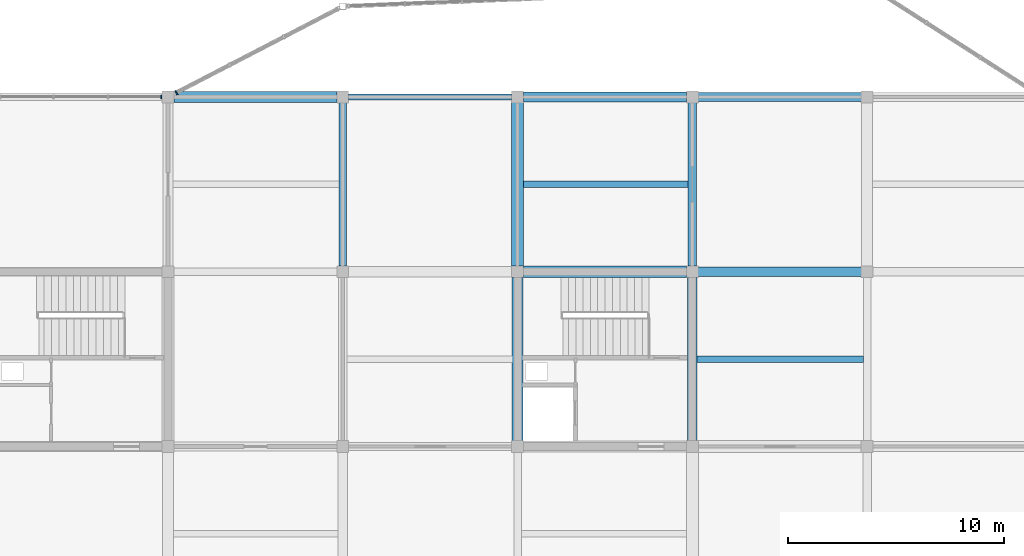
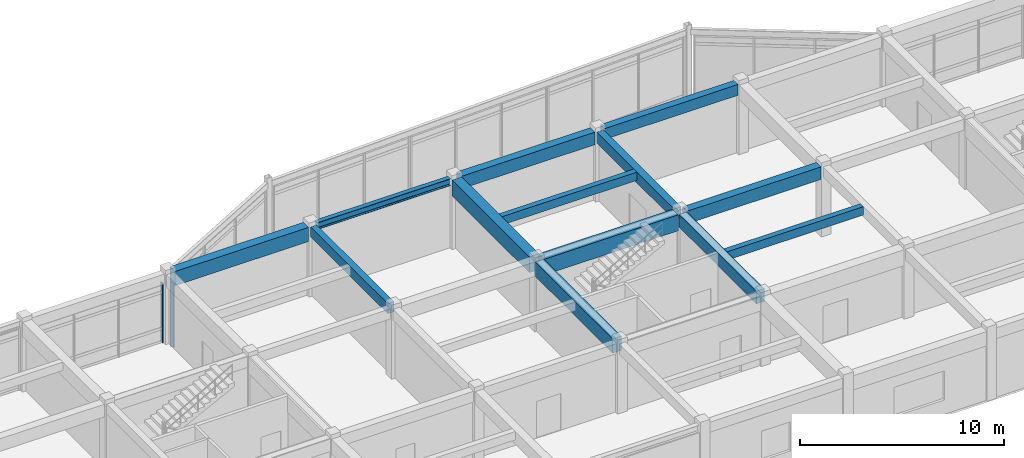
# One storey, part 13 of 42: 13 beams, 2 members, 2 elements without a shape of their own.
"""IFC4 building model written with IfcOpenShell, lengths in metres."""

from ifc_helpers import new_model, si_unit, direction, frame, origin, origin_2d, place, context, subcontext, project, spatial, rectangle, i_section, extrude, material, layer, layer_set, material_profile, profile_set, type_object, element, aggregate, save


model = new_model("IFC4")

# Units and contexts
model_context = context("Model", 3, precision=1e-05, world=origin(), true_north=direction((0.0, 1.0)))
body_context = subcontext(model_context, "Body", "Model", "MODEL_VIEW")
ifc_project = project(units=[si_unit("LENGTHUNIT", "METRE"), si_unit("AREAUNIT", "SQUARE_METRE"), si_unit("VOLUMEUNIT", "CUBIC_METRE"), si_unit("PLANEANGLEUNIT", "RADIAN"), si_unit("MASSUNIT", "GRAM", prefix="KILO")], contexts=[model_context])

# Site, building, storey
site_placement = place(None, origin())
site = spatial("IfcSite", under=ifc_project, at=site_placement, CompositionType="ELEMENT")
building_placement = place(site_placement, origin())
building = spatial("IfcBuilding", under=site, at=building_placement, Name="Vaudrelin Polytechnic", CompositionType="ELEMENT")
storey_placement = place(building_placement, frame((0.0, 0.0, 18.530029296875)))
storey = spatial("IfcBuildingStorey", under=building, at=storey_placement, Name="L04", CompositionType="ELEMENT", Elevation=18.530029296875)

# Beams
ifc_material_1 = material(Name="Concrete 40 MPa", Category="concrete")
ifc_material_profile_1 = material_profile(ifc_material_1, rectangle(XDim=0.35009765625, YDim=0.60009765625, at=origin_2d()), Name="RC350x600")
ifc_profile_set_1 = profile_set([ifc_material_profile_1], Name="Concrete 40 MPa")
beam_type_1 = type_object("IfcBeamType", Name="BM-BM-RC3560", PredefinedType="BEAM", material=ifc_profile_set_1)
beam_1_placement = place(storey_placement, frame((72.89990234375, 113.659912109375, 3.85986328125), z_axis=(0.0, 1.0, 0.0), x_axis=(-1.0, 0.0, 0.0)))
element("IfcBeam", 1, at=beam_1_placement, inside=storey, type_object=beam_type_1, Name="L04 Y-beam 10-15", PredefinedType="BEAM", context=body_context, shape_type="SweptSolid", body=[
    extrude(rectangle(XDim=0.35009765625, YDim=0.60009765625, at=origin_2d()), origin(), (0.0, 0.0, 1.0), 7.580078125),
])
ifc_material_profile_2 = material_profile(ifc_material_1, rectangle(XDim=0.39990234375, YDim=0.64990234375, at=origin_2d()), Name="RC400x650")
ifc_profile_set_2 = profile_set([ifc_material_profile_2], Name="Concrete 40 MPa")
beam_type_2 = type_object("IfcBeamType", Name="BM-BM-RC4065", PredefinedType="BEAM", material=ifc_profile_set_2)
beam_2_placement = place(storey_placement, frame((89.10009765625, 113.659912109375, 3.8349609375), z_axis=(0.0, 1.0, 0.0), x_axis=(-1.0, 0.0, 0.0)))
element("IfcBeam", 2, at=beam_2_placement, inside=storey, type_object=beam_type_2, Name="L04 Y-beam 12-15", PredefinedType="BEAM", context=body_context, shape_type="SweptSolid", body=[
    extrude(rectangle(XDim=0.39990234375, YDim=0.64990234375, at=origin_2d()), origin(), (0.0, 0.0, 1.0), 7.580078125),
])
beam_3_placement = place(storey_placement, frame((89.37109375, 121.5, 3.8349609375), z_axis=(1.0, 0.0, 0.0), x_axis=(0.0, 1.0, 0.0)))
element("IfcBeam", 3, at=beam_3_placement, inside=storey, type_object=beam_type_2, Name="L04 X-beam 12-16", PredefinedType="BEAM", context=body_context, shape_type="SweptSolid", body=[
    extrude(rectangle(XDim=0.39990234375, YDim=0.64990234375, at=origin_2d()), origin(), (0.0, 0.0, 1.0), 7.557861328125),
])
ifc_material_profile_3 = material_profile(ifc_material_1, rectangle(XDim=0.449951171875, YDim=0.75, at=origin_2d()), Name="RC450x750")
ifc_profile_set_3 = profile_set([ifc_material_profile_3], Name="Concrete 40 MPa")
beam_type_3 = type_object("IfcBeamType", Name="BM-BM-RC4575", PredefinedType="BEAM", material=ifc_profile_set_3)
beam_4_placement = place(storey_placement, frame((89.10009765625, 105.56005859375, 3.784912109375), z_axis=(0.0, 1.0, 0.0), x_axis=(-1.0, 0.0, 0.0)))
element("IfcBeam", 4, at=beam_4_placement, inside=storey, type_object=beam_type_3, Name="L04 Y-beam 12-14", PredefinedType="BEAM", context=body_context, shape_type="SweptSolid", body=[
    extrude(rectangle(XDim=0.449951171875, YDim=0.75, at=origin_2d()), origin(), (0.0, 0.0, 1.0), 7.579833984375),
])
beam_5_placement = place(storey_placement, frame((81.27099609375, 121.5, 3.784912109375), z_axis=(1.0, 0.0, 0.0), x_axis=(0.0, 1.0, 0.0)))
element("IfcBeam", 5, at=beam_5_placement, inside=storey, type_object=beam_type_3, Name="L04 X-beam 11-16", PredefinedType="BEAM", context=body_context, shape_type="SweptSolid", body=[
    extrude(rectangle(XDim=0.449951171875, YDim=0.75, at=origin_2d()), origin(), (0.0, 0.0, 1.0), 7.55810546875),
])
beam_6_placement = place(storey_placement, frame((89.37109375, 113.39990234375, 3.784912109375), z_axis=(1.0, 0.0, 0.0), x_axis=(0.0, 1.0, 0.0)))
element("IfcBeam", 6, at=beam_6_placement, inside=storey, type_object=beam_type_3, Name="L04 X-beam 12-15", PredefinedType="BEAM", context=body_context, shape_type="SweptSolid", body=[
    extrude(rectangle(XDim=0.449951171875, YDim=0.75, at=origin_2d()), origin(), (0.0, 0.0, 1.0), 7.557861328125),
])
ifc_material_profile_4 = material_profile(ifc_material_1, rectangle(XDim=0.5, YDim=0.85009765625, at=origin_2d()), Name="RC500x850")
ifc_profile_set_4 = profile_set([ifc_material_profile_4], Name="Concrete 40 MPa")
beam_type_4 = type_object("IfcBeamType", Name="BM-BM-RC5085", PredefinedType="BEAM", material=ifc_profile_set_4)
beam_7_placement = place(storey_placement, frame((81.0, 105.56005859375, 3.73486328125), z_axis=(0.0, 1.0, 0.0), x_axis=(-1.0, 0.0, 0.0)))
element("IfcBeam", 7, at=beam_7_placement, inside=storey, type_object=beam_type_4, Name="L04 Y-beam 11-14", PredefinedType="BEAM", context=body_context, shape_type="SweptSolid", body=[
    extrude(rectangle(XDim=0.5, YDim=0.85009765625, at=origin_2d()), origin(), (0.0, 0.0, 1.0), 7.579833984375),
])
beam_8_placement = place(storey_placement, frame((65.071044921875, 121.5, 3.73486328125), z_axis=(1.0, 0.0, 0.0), x_axis=(0.0, 1.0, 0.0)))
element("IfcBeam", 8, at=beam_8_placement, inside=storey, type_object=beam_type_4, Name="L04 X-beam 9-16", PredefinedType="BEAM", context=body_context, shape_type="SweptSolid", body=[
    extrude(rectangle(XDim=0.5, YDim=0.85009765625, at=origin_2d()), origin(), (0.0, 0.0, 1.0), 7.557861328125),
])
ifc_material_2 = material(Name="Concrete 50 MPa", Category="concrete")
ifc_material_profile_5 = material_profile(ifc_material_2, rectangle(XDim=0.550048828125, YDim=0.949951171875, at=origin_2d()), Name="RC550x950")
ifc_profile_set_5 = profile_set([ifc_material_profile_5], Name="Concrete 50 MPa")
beam_type_5 = type_object("IfcBeamType", Name="BM-BM-RC5595", PredefinedType="BEAM", material=ifc_profile_set_5)
beam_9_placement = place(storey_placement, frame((81.0, 113.659912109375, 3.68505859375), z_axis=(0.0, 1.0, 0.0), x_axis=(-1.0, 0.0, 0.0)))
element("IfcBeam", 9, at=beam_9_placement, inside=storey, type_object=beam_type_5, Name="L04 Y-beam 11-15", PredefinedType="BEAM", context=body_context, shape_type="SweptSolid", body=[
    extrude(rectangle(XDim=0.550048828125, YDim=0.949951171875, at=origin_2d()), origin(), (0.0, 0.0, 1.0), 7.580078125),
])
beam_10_placement = place(storey_placement, frame((81.27099609375, 113.39990234375, 3.68505859375), z_axis=(1.0, 0.0, 0.0), x_axis=(0.0, 1.0, 0.0)))
element("IfcBeam", 10, at=beam_10_placement, inside=storey, type_object=beam_type_5, Name="L04 X-beam 11-15", PredefinedType="BEAM", context=body_context, shape_type="SweptSolid", body=[
    extrude(rectangle(XDim=0.550048828125, YDim=0.949951171875, at=origin_2d()), origin(), (0.0, 0.0, 1.0), 7.55810546875),
])
ifc_material_3 = material(Name="Steel CSA G40.21 350WT", Category="steel")
ifc_material_profile_6 = material_profile(ifc_material_3, i_section(OverallWidth=0.260009765625, OverallDepth=0.4150390625, WebThickness=0.010009765625, FlangeThickness=0.016845703125, FilletRadius=0.01611328125, at=origin_2d()), Name="W410x100")
ifc_profile_set_6 = profile_set([ifc_material_profile_6], Name="Steel CSA G40.21 350WT")
beam_type_6 = type_object("IfcBeamType", Name="BM-BM-W410H", PredefinedType="SPANDREL", material=ifc_profile_set_6)
beam_11_placement = place(storey_placement, frame((73.1708984375, 121.5, 3.952392578125), z_axis=(1.0, 0.0, 0.0), x_axis=(0.0, 1.0, 0.0)))
element("IfcBeam", 11, at=beam_11_placement, inside=storey, type_object=beam_type_6, Name="L04 X-beam 10-16", PredefinedType="SPANDREL", context=body_context, shape_type="SweptSolid", body=[
    extrude(i_section(OverallWidth=0.260009765625, OverallDepth=0.4150390625, WebThickness=0.010009765625, FlangeThickness=0.016845703125, FilletRadius=0.01611328125, at=origin_2d()), origin(), (0.0, 0.0, 1.0), 7.55810546875),
])
ifc_material_profile_7 = material_profile(ifc_material_1, rectangle(XDim=0.300048828125, YDim=0.5, at=origin_2d()), Name="RC300x500")
ifc_profile_set_7 = profile_set([ifc_material_profile_7], Name="Concrete 40 MPa")
beam_type_7 = type_object("IfcBeamType", Name="BM-JS-RC3050", PredefinedType="JOIST", material=ifc_profile_set_7)
beam_12_placement = place(storey_placement, frame((81.27099609375, 117.449951171875, 3.909912109375), z_axis=(1.0, 0.0, 0.0), x_axis=(0.0, 1.0, 0.0)))
element("IfcBeam", 12, at=beam_12_placement, inside=storey, type_object=beam_type_7, Name="L04 floor joist 11-15", PredefinedType="JOIST", context=body_context, shape_type="SweptSolid", body=[
    extrude(rectangle(XDim=0.300048828125, YDim=0.5, at=origin_2d()), origin(), (0.0, 0.0, 1.0), 7.633056640625),
])
beam_13_placement = place(storey_placement, frame((89.321044921875, 109.35009765625, 3.909912109375), z_axis=(1.0, 0.0, 0.0), x_axis=(0.0, 1.0, 0.0)))
element("IfcBeam", 13, at=beam_13_placement, inside=storey, type_object=beam_type_7, Name="L04 floor joist 12-14", PredefinedType="JOIST", context=body_context, shape_type="SweptSolid", body=[
    extrude(rectangle(XDim=0.300048828125, YDim=0.5, at=origin_2d()), origin(), (0.0, 0.0, 1.0), 7.7080078125),
])

# Curtain wall, member
ifc_material_4 = material(Name="Thermally broken anodised aluminium AA 6063-T6 and low-e triple glazing", Category="aluminium")
ifc_layer = layer(ifc_material_4, 0.199951171875)
ifc_layer_set = layer_set([ifc_layer], Name="Thermally broken anodised aluminium AA 6063-T6 and low-e triple glazing")
curtain_wall_type = type_object("IfcCurtainWallType", Name="CW-CW-STU", PredefinedType="USERDEFINED", material=ifc_layer_set)
curtain_wall_1_placement = place(storey_placement, origin())
curtain_wall_1 = element("IfcCurtainWall", 14, at=curtain_wall_1_placement, inside=storey, type_object=curtain_wall_type, Name="Curtain wall L04 N_V5_07", ObjectType="CURTAIN WALL", PredefinedType="USERDEFINED")
ifc_material_5 = material(Name="Anodised aluminium AA 6063-T6", Category="aluminium")
ifc_material_profile_8 = material_profile(ifc_material_5, rectangle(XDim=0.06494140625, YDim=0.179931640625, at=origin_2d()), Name="CWM-65x180")
ifc_profile_set_8 = profile_set([ifc_material_profile_8], Name="Anodised aluminium AA 6063-T6")
member_type_1 = type_object("IfcMemberType", Name="MEM-CWM-180", PredefinedType="MULLION", material=ifc_profile_set_8)
member_1_placement = place(storey_placement, frame((64.487060546875, 121.5, 0.0), z_axis=(0.0, 0.0, 1.0), x_axis=(1.0, 0.0, 0.0)))
member_1 = element("IfcMember", 15, at=member_1_placement, type_object=member_type_1, Name="N_V5_07 mullion 4", PredefinedType="MULLION", context=body_context, shape_type="SweptSolid", body=[
    extrude(rectangle(XDim=0.06494140625, YDim=0.179931640625, at=origin_2d()), origin(), (0.0, 0.0, 1.0), 3.56201171875),
])
aggregate(curtain_wall_1, [member_1])

curtain_wall_2_placement = place(storey_placement, origin())
curtain_wall_2 = element("IfcCurtainWall", 16, at=curtain_wall_2_placement, inside=storey, type_object=curtain_wall_type, Name="Curtain wall L04 N_OR2_1_0", ObjectType="CURTAIN WALL", PredefinedType="USERDEFINED")
ifc_material_profile_9 = material_profile(ifc_material_5, rectangle(XDim=0.074951171875, YDim=0.219970703125, at=origin_2d()), Name="CWM-75x220")
ifc_profile_set_9 = profile_set([ifc_material_profile_9], Name="Anodised aluminium AA 6063-T6")
member_type_2 = type_object("IfcMemberType", Name="MEM-CWM-220", PredefinedType="MULLION", material=ifc_profile_set_9)
member_2_placement = place(storey_placement, frame((65.18603515625, 121.7001953125, -0.630126953125), z_axis=(0.0, 0.0, 1.0), x_axis=(0.887751494589, 0.460323021208, 0.0)))
member_2 = element("IfcMember", 17, at=member_2_placement, type_object=member_type_2, Name="N_OR2_1_0 mullion 1", PredefinedType="MULLION", context=body_context, shape_type="SweptSolid", body=[
    extrude(rectangle(XDim=0.074951171875, YDim=0.219970703125, at=origin_2d()), origin(), (0.0, 0.0, 1.0), 4.440185546875),
])
aggregate(curtain_wall_2, [member_2])

save(model, "model.ifc")
